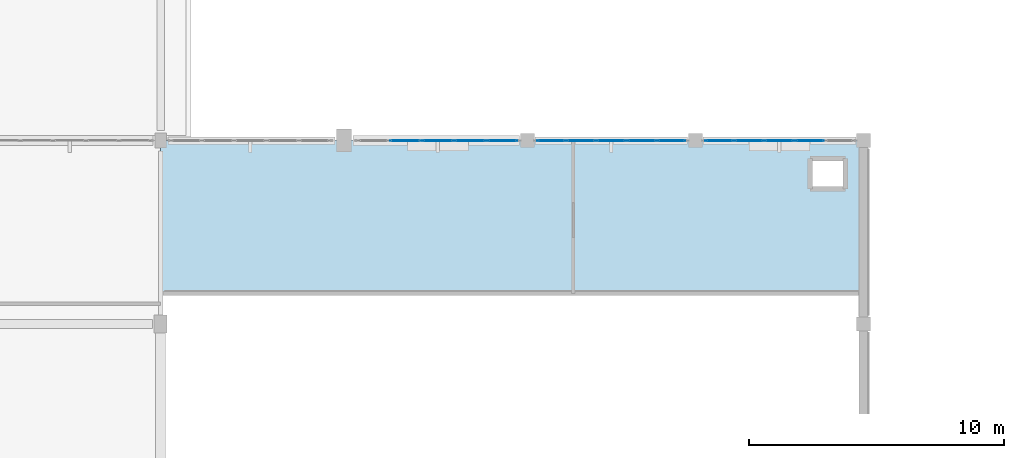
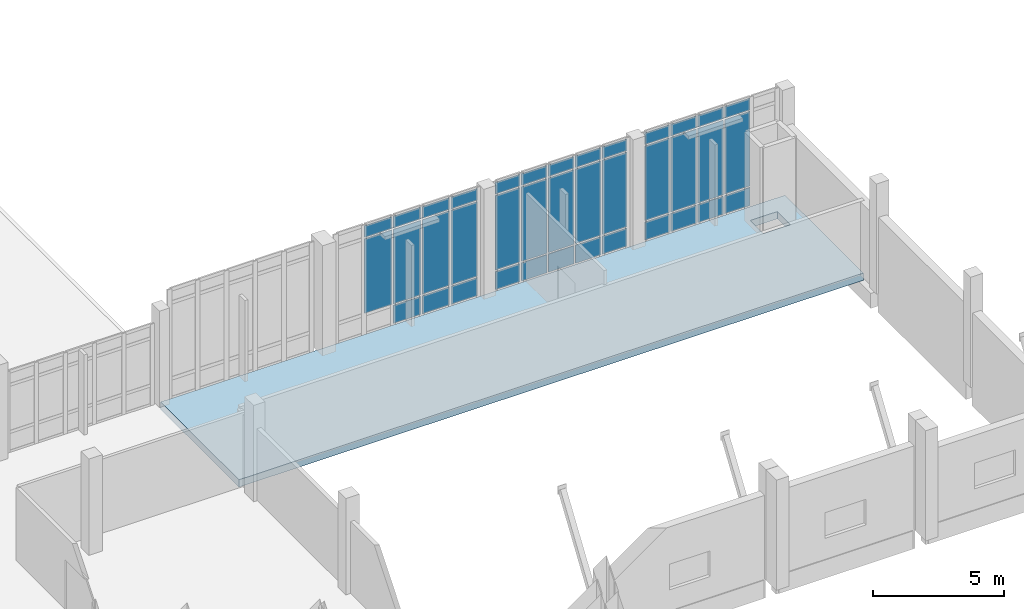
# One storey, part 100 of 134: 38 plates, 1 slab, 3 elements without a shape of their own.
"""IFC4 building model written with IfcOpenShell, lengths in metres."""

from ifc_helpers import new_model, si_unit, direction, frame, origin, origin_2d, place, context, subcontext, project, spatial, polyline, rectangle, outline, extrude, material, layer, layer_set, type_object, element, aggregate, save


model = new_model("IFC4")

# Units and contexts
model_context = context("Model", 3, precision=1e-05, world=origin(), true_north=direction((0.0, 1.0)))
body_context = subcontext(model_context, "Body", "Model", "MODEL_VIEW")
ifc_project = project(units=[si_unit("LENGTHUNIT", "METRE"), si_unit("AREAUNIT", "SQUARE_METRE"), si_unit("VOLUMEUNIT", "CUBIC_METRE"), si_unit("PLANEANGLEUNIT", "RADIAN"), si_unit("MASSUNIT", "GRAM", prefix="KILO")], contexts=[model_context])

# Site, building, storey
site_placement = place(None, origin())
site = spatial("IfcSite", under=ifc_project, at=site_placement, CompositionType="ELEMENT")
building_placement = place(site_placement, origin())
building = spatial("IfcBuilding", under=site, at=building_placement, Name="Kalluvel Institute of Natural Sciences", CompositionType="ELEMENT")
storey_placement = place(building_placement, frame((0.0, 0.0, 5.39990234375)))
storey = spatial("IfcBuildingStorey", under=building, at=storey_placement, Name="L01", CompositionType="ELEMENT", Elevation=5.39990234375)

# Curtain wall, plates
ifc_material_1 = material(Name="Aluminium AW-6063 T6", Category="aluminium")
curtain_wall_type = type_object("IfcCurtainWallType", Name="CW-SPAV-45", PredefinedType="USERDEFINED", material=ifc_material_1)
curtain_wall_1_placement = place(storey_placement, origin())
curtain_wall_1 = element("IfcCurtainWall", 1, at=curtain_wall_1_placement, inside=storey, type_object=curtain_wall_type, Name="L01 Gothic lancet curtain wall CWA-L01-X1225-Y356", ObjectType="UNITISED LANCET FACADE", PredefinedType="USERDEFINED")
ifc_material_2 = material(Name="Solar-Control Low-E Laminated Glass", Category="glass")
ifc_layer_1 = layer(ifc_material_2, 0.031982421875)
ifc_layer_set_1 = layer_set([ifc_layer_1], Name="Solar-Control Low-E Laminated Glass")
plate_type = type_object("IfcPlateType", Name="CWP-DGU-32", PredefinedType="CURTAIN_PANEL", material=ifc_layer_set_1)
plate_1_placement = place(storey_placement, frame((124.41259765625, 35.60009765625, 0.985107421875), z_axis=(0.0, 0.0, 1.0), x_axis=(1.0, 0.0, 0.0)))
plate_1 = element("IfcPlate", 2, at=plate_1_placement, type_object=plate_type, Name="CW-10 panel 2.2", PredefinedType="CURTAIN_PANEL", context=body_context, shape_type="SweptSolid", body=[
    extrude(rectangle(XDim=1.205078125, YDim=0.031982421875, at=origin_2d()), origin(), (0.0, 0.0, 1.0), 3.47998046875),
])
plate_2_placement = place(storey_placement, frame((124.41259765625, 35.60009765625, 4.53515625), z_axis=(0.0, 0.0, 1.0), x_axis=(1.0, 0.0, 0.0)))
plate_2 = element("IfcPlate", 3, at=plate_2_placement, type_object=plate_type, Name="CW-10 panel 2.3", PredefinedType="CURTAIN_PANEL", context=body_context, shape_type="SweptSolid", body=[
    extrude(rectangle(XDim=1.205078125, YDim=0.031982421875, at=origin_2d()), origin(), (0.0, 0.0, 1.0), 0.544921875),
])
plate_3_placement = place(storey_placement, frame((125.6875, 35.60009765625, 0.0703125), z_axis=(0.0, 0.0, 1.0), x_axis=(1.0, 0.0, 0.0)))
plate_3 = element("IfcPlate", 4, at=plate_3_placement, type_object=plate_type, Name="CW-10 panel 3.1", PredefinedType="CURTAIN_PANEL", context=body_context, shape_type="SweptSolid", body=[
    extrude(rectangle(XDim=1.205078125, YDim=0.031982421875, at=origin_2d()), origin(), (0.0, 0.0, 1.0), 0.844970703125),
])
plate_4_placement = place(storey_placement, frame((125.6875, 35.60009765625, 0.985107421875), z_axis=(0.0, 0.0, 1.0), x_axis=(1.0, 0.0, 0.0)))
plate_4 = element("IfcPlate", 5, at=plate_4_placement, type_object=plate_type, Name="CW-10 panel 3.2", PredefinedType="CURTAIN_PANEL", context=body_context, shape_type="SweptSolid", body=[
    extrude(rectangle(XDim=1.205078125, YDim=0.031982421875, at=origin_2d()), origin(), (0.0, 0.0, 1.0), 3.47998046875),
])
plate_5_placement = place(storey_placement, frame((125.6875, 35.60009765625, 4.53515625), z_axis=(0.0, 0.0, 1.0), x_axis=(1.0, 0.0, 0.0)))
plate_5 = element("IfcPlate", 6, at=plate_5_placement, type_object=plate_type, Name="CW-10 panel 3.3", PredefinedType="CURTAIN_PANEL", context=body_context, shape_type="SweptSolid", body=[
    extrude(rectangle(XDim=1.205078125, YDim=0.031982421875, at=origin_2d()), origin(), (0.0, 0.0, 1.0), 0.544921875),
])
plate_6_placement = place(storey_placement, frame((126.96240234375, 35.60009765625, 0.0703125), z_axis=(0.0, 0.0, 1.0), x_axis=(1.0, 0.0, 0.0)))
plate_6 = element("IfcPlate", 7, at=plate_6_placement, type_object=plate_type, Name="CW-10 panel 4.1", PredefinedType="CURTAIN_PANEL", context=body_context, shape_type="SweptSolid", body=[
    extrude(rectangle(XDim=1.205078125, YDim=0.031982421875, at=origin_2d()), origin(), (0.0, 0.0, 1.0), 0.844970703125),
])
plate_7_placement = place(storey_placement, frame((126.96240234375, 35.60009765625, 0.985107421875), z_axis=(0.0, 0.0, 1.0), x_axis=(1.0, 0.0, 0.0)))
plate_7 = element("IfcPlate", 8, at=plate_7_placement, type_object=plate_type, Name="CW-10 panel 4.2", PredefinedType="CURTAIN_PANEL", context=body_context, shape_type="SweptSolid", body=[
    extrude(rectangle(XDim=1.205078125, YDim=0.031982421875, at=origin_2d()), origin(), (0.0, 0.0, 1.0), 3.47998046875),
])
plate_8_placement = place(storey_placement, frame((126.96240234375, 35.60009765625, 4.53515625), z_axis=(0.0, 0.0, 1.0), x_axis=(1.0, 0.0, 0.0)))
plate_8 = element("IfcPlate", 9, at=plate_8_placement, type_object=plate_type, Name="CW-10 panel 4.3", PredefinedType="CURTAIN_PANEL", context=body_context, shape_type="SweptSolid", body=[
    extrude(rectangle(XDim=1.205078125, YDim=0.031982421875, at=origin_2d()), origin(), (0.0, 0.0, 1.0), 0.544921875),
])
plate_9_placement = place(storey_placement, frame((128.219970703125, 35.60009765625, 0.0703125), z_axis=(0.0, 0.0, 1.0), x_axis=(1.0, 0.0, 0.0)))
plate_9 = element("IfcPlate", 10, at=plate_9_placement, type_object=plate_type, Name="CW-10 panel 5.1", PredefinedType="CURTAIN_PANEL", context=body_context, shape_type="SweptSolid", body=[
    extrude(rectangle(XDim=1.169921875, YDim=0.031982421875, at=origin_2d()), origin(), (0.0, 0.0, 1.0), 0.844970703125),
])
plate_10_placement = place(storey_placement, frame((128.219970703125, 35.60009765625, 0.985107421875), z_axis=(0.0, 0.0, 1.0), x_axis=(1.0, 0.0, 0.0)))
plate_10 = element("IfcPlate", 11, at=plate_10_placement, type_object=plate_type, Name="CW-10 panel 5.2", PredefinedType="CURTAIN_PANEL", context=body_context, shape_type="SweptSolid", body=[
    extrude(rectangle(XDim=1.169921875, YDim=0.031982421875, at=origin_2d()), origin(), (0.0, 0.0, 1.0), 3.47998046875),
])
plate_11_placement = place(storey_placement, frame((128.219970703125, 35.60009765625, 4.53515625), z_axis=(0.0, 0.0, 1.0), x_axis=(1.0, 0.0, 0.0)))
plate_11 = element("IfcPlate", 12, at=plate_11_placement, type_object=plate_type, Name="CW-10 panel 5.3", PredefinedType="CURTAIN_PANEL", context=body_context, shape_type="SweptSolid", body=[
    extrude(rectangle(XDim=1.169921875, YDim=0.031982421875, at=origin_2d()), origin(), (0.0, 0.0, 1.0), 0.544921875),
])
aggregate(curtain_wall_1, [plate_1, plate_2, plate_3, plate_4, plate_5, plate_6, plate_7, plate_8, plate_9, plate_10, plate_11])

curtain_wall_2_placement = place(storey_placement, origin())
curtain_wall_2 = element("IfcCurtainWall", 13, at=curtain_wall_2_placement, inside=storey, type_object=curtain_wall_type, Name="L01 Gothic lancet curtain wall CWA-L01-X1295-Y356", ObjectType="UNITISED LANCET FACADE", PredefinedType="USERDEFINED")
plate_12_placement = place(storey_placement, frame((130.137451171875, 35.60009765625, 0.0703125), z_axis=(0.0, 0.0, 1.0), x_axis=(1.0, 0.0, 0.0)))
plate_12 = element("IfcPlate", 14, at=plate_12_placement, type_object=plate_type, Name="CW-10 panel 1.1", PredefinedType="CURTAIN_PANEL", context=body_context, shape_type="SweptSolid", body=[
    extrude(rectangle(XDim=1.0849609375, YDim=0.031982421875, at=origin_2d()), origin(), (0.0, 0.0, 1.0), 0.844970703125),
])
plate_13_placement = place(storey_placement, frame((130.137451171875, 35.60009765625, 0.985107421875), z_axis=(0.0, 0.0, 1.0), x_axis=(1.0, 0.0, 0.0)))
plate_13 = element("IfcPlate", 15, at=plate_13_placement, type_object=plate_type, Name="CW-10 panel 1.2", PredefinedType="CURTAIN_PANEL", context=body_context, shape_type="SweptSolid", body=[
    extrude(rectangle(XDim=1.0849609375, YDim=0.031982421875, at=origin_2d()), origin(), (0.0, 0.0, 1.0), 3.47998046875),
])
plate_14_placement = place(storey_placement, frame((130.137451171875, 35.60009765625, 4.53515625), z_axis=(0.0, 0.0, 1.0), x_axis=(1.0, 0.0, 0.0)))
plate_14 = element("IfcPlate", 16, at=plate_14_placement, type_object=plate_type, Name="CW-10 panel 1.3", PredefinedType="CURTAIN_PANEL", context=body_context, shape_type="SweptSolid", body=[
    extrude(rectangle(XDim=1.0849609375, YDim=0.031982421875, at=origin_2d()), origin(), (0.0, 0.0, 1.0), 0.544921875),
])
plate_15_placement = place(storey_placement, frame((131.31005859375, 35.60009765625, 0.0703125), z_axis=(0.0, 0.0, 1.0), x_axis=(1.0, 0.0, 0.0)))
plate_15 = element("IfcPlate", 17, at=plate_15_placement, type_object=plate_type, Name="CW-10 panel 2.1", PredefinedType="CURTAIN_PANEL", context=body_context, shape_type="SweptSolid", body=[
    extrude(rectangle(XDim=1.1201171875, YDim=0.031982421875, at=origin_2d()), origin(), (0.0, 0.0, 1.0), 0.844970703125),
])
plate_16_placement = place(storey_placement, frame((131.31005859375, 35.60009765625, 0.985107421875), z_axis=(0.0, 0.0, 1.0), x_axis=(1.0, 0.0, 0.0)))
plate_16 = element("IfcPlate", 18, at=plate_16_placement, type_object=plate_type, Name="CW-10 panel 2.2", PredefinedType="CURTAIN_PANEL", context=body_context, shape_type="SweptSolid", body=[
    extrude(rectangle(XDim=1.1201171875, YDim=0.031982421875, at=origin_2d()), origin(), (0.0, 0.0, 1.0), 3.47998046875),
])
plate_17_placement = place(storey_placement, frame((131.31005859375, 35.60009765625, 4.53515625), z_axis=(0.0, 0.0, 1.0), x_axis=(1.0, 0.0, 0.0)))
plate_17 = element("IfcPlate", 19, at=plate_17_placement, type_object=plate_type, Name="CW-10 panel 2.3", PredefinedType="CURTAIN_PANEL", context=body_context, shape_type="SweptSolid", body=[
    extrude(rectangle(XDim=1.1201171875, YDim=0.031982421875, at=origin_2d()), origin(), (0.0, 0.0, 1.0), 0.544921875),
])
plate_18_placement = place(storey_placement, frame((132.5, 35.60009765625, 0.0703125), z_axis=(0.0, 0.0, 1.0), x_axis=(1.0, 0.0, 0.0)))
plate_18 = element("IfcPlate", 20, at=plate_18_placement, type_object=plate_type, Name="CW-10 panel 3.1", PredefinedType="CURTAIN_PANEL", context=body_context, shape_type="SweptSolid", body=[
    extrude(rectangle(XDim=1.1201171875, YDim=0.031982421875, at=origin_2d()), origin(), (0.0, 0.0, 1.0), 0.844970703125),
])
plate_19_placement = place(storey_placement, frame((132.5, 35.60009765625, 0.985107421875), z_axis=(0.0, 0.0, 1.0), x_axis=(1.0, 0.0, 0.0)))
plate_19 = element("IfcPlate", 21, at=plate_19_placement, type_object=plate_type, Name="CW-10 panel 3.2", PredefinedType="CURTAIN_PANEL", context=body_context, shape_type="SweptSolid", body=[
    extrude(rectangle(XDim=1.1201171875, YDim=0.031982421875, at=origin_2d()), origin(), (0.0, 0.0, 1.0), 3.47998046875),
])
plate_20_placement = place(storey_placement, frame((132.5, 35.60009765625, 4.53515625), z_axis=(0.0, 0.0, 1.0), x_axis=(1.0, 0.0, 0.0)))
plate_20 = element("IfcPlate", 22, at=plate_20_placement, type_object=plate_type, Name="CW-10 panel 3.3", PredefinedType="CURTAIN_PANEL", context=body_context, shape_type="SweptSolid", body=[
    extrude(rectangle(XDim=1.1201171875, YDim=0.031982421875, at=origin_2d()), origin(), (0.0, 0.0, 1.0), 0.544921875),
])
plate_21_placement = place(storey_placement, frame((133.68994140625, 35.60009765625, 0.0703125), z_axis=(0.0, 0.0, 1.0), x_axis=(1.0, 0.0, 0.0)))
plate_21 = element("IfcPlate", 23, at=plate_21_placement, type_object=plate_type, Name="CW-10 panel 4.1", PredefinedType="CURTAIN_PANEL", context=body_context, shape_type="SweptSolid", body=[
    extrude(rectangle(XDim=1.1201171875, YDim=0.031982421875, at=origin_2d()), origin(), (0.0, 0.0, 1.0), 0.844970703125),
])
plate_22_placement = place(storey_placement, frame((133.68994140625, 35.60009765625, 0.985107421875), z_axis=(0.0, 0.0, 1.0), x_axis=(1.0, 0.0, 0.0)))
plate_22 = element("IfcPlate", 24, at=plate_22_placement, type_object=plate_type, Name="CW-10 panel 4.2", PredefinedType="CURTAIN_PANEL", context=body_context, shape_type="SweptSolid", body=[
    extrude(rectangle(XDim=1.1201171875, YDim=0.031982421875, at=origin_2d()), origin(), (0.0, 0.0, 1.0), 3.47998046875),
])
plate_23_placement = place(storey_placement, frame((133.68994140625, 35.60009765625, 4.53515625), z_axis=(0.0, 0.0, 1.0), x_axis=(1.0, 0.0, 0.0)))
plate_23 = element("IfcPlate", 25, at=plate_23_placement, type_object=plate_type, Name="CW-10 panel 4.3", PredefinedType="CURTAIN_PANEL", context=body_context, shape_type="SweptSolid", body=[
    extrude(rectangle(XDim=1.1201171875, YDim=0.031982421875, at=origin_2d()), origin(), (0.0, 0.0, 1.0), 0.544921875),
])
plate_24_placement = place(storey_placement, frame((134.862548828125, 35.60009765625, 0.0703125), z_axis=(0.0, 0.0, 1.0), x_axis=(1.0, 0.0, 0.0)))
plate_24 = element("IfcPlate", 26, at=plate_24_placement, type_object=plate_type, Name="CW-10 panel 5.1", PredefinedType="CURTAIN_PANEL", context=body_context, shape_type="SweptSolid", body=[
    extrude(rectangle(XDim=1.0849609375, YDim=0.031982421875, at=origin_2d()), origin(), (0.0, 0.0, 1.0), 0.844970703125),
])
plate_25_placement = place(storey_placement, frame((134.862548828125, 35.60009765625, 0.985107421875), z_axis=(0.0, 0.0, 1.0), x_axis=(1.0, 0.0, 0.0)))
plate_25 = element("IfcPlate", 27, at=plate_25_placement, type_object=plate_type, Name="CW-10 panel 5.2", PredefinedType="CURTAIN_PANEL", context=body_context, shape_type="SweptSolid", body=[
    extrude(rectangle(XDim=1.0849609375, YDim=0.031982421875, at=origin_2d()), origin(), (0.0, 0.0, 1.0), 3.47998046875),
])
plate_26_placement = place(storey_placement, frame((134.862548828125, 35.60009765625, 4.53515625), z_axis=(0.0, 0.0, 1.0), x_axis=(1.0, 0.0, 0.0)))
plate_26 = element("IfcPlate", 28, at=plate_26_placement, type_object=plate_type, Name="CW-10 panel 5.3", PredefinedType="CURTAIN_PANEL", context=body_context, shape_type="SweptSolid", body=[
    extrude(rectangle(XDim=1.0849609375, YDim=0.031982421875, at=origin_2d()), origin(), (0.0, 0.0, 1.0), 0.544921875),
])
aggregate(curtain_wall_2, [plate_12, plate_13, plate_14, plate_15, plate_16, plate_17, plate_18, plate_19, plate_20, plate_21, plate_22, plate_23, plate_24, plate_25, plate_26])

curtain_wall_3_placement = place(storey_placement, origin())
curtain_wall_3 = element("IfcCurtainWall", 29, at=curtain_wall_3_placement, inside=storey, type_object=curtain_wall_type, Name="L01 Gothic lancet curtain wall CWA-L01-X1361-Y356", ObjectType="UNITISED LANCET FACADE", PredefinedType="USERDEFINED")
plate_27_placement = place(storey_placement, frame((136.737548828125, 35.60009765625, 0.0703125), z_axis=(0.0, 0.0, 1.0), x_axis=(1.0, 0.0, 0.0)))
plate_27 = element("IfcPlate", 30, at=plate_27_placement, type_object=plate_type, Name="CW-10 panel 1.1", PredefinedType="CURTAIN_PANEL", context=body_context, shape_type="SweptSolid", body=[
    extrude(rectangle(XDim=1.0849609375, YDim=0.031982421875, at=origin_2d()), origin(), (0.0, 0.0, 1.0), 0.844970703125),
])
plate_28_placement = place(storey_placement, frame((136.737548828125, 35.60009765625, 0.985107421875), z_axis=(0.0, 0.0, 1.0), x_axis=(1.0, 0.0, 0.0)))
plate_28 = element("IfcPlate", 31, at=plate_28_placement, type_object=plate_type, Name="CW-10 panel 1.2", PredefinedType="CURTAIN_PANEL", context=body_context, shape_type="SweptSolid", body=[
    extrude(rectangle(XDim=1.0849609375, YDim=0.031982421875, at=origin_2d()), origin(), (0.0, 0.0, 1.0), 3.47998046875),
])
plate_29_placement = place(storey_placement, frame((136.737548828125, 35.60009765625, 4.53515625), z_axis=(0.0, 0.0, 1.0), x_axis=(1.0, 0.0, 0.0)))
plate_29 = element("IfcPlate", 32, at=plate_29_placement, type_object=plate_type, Name="CW-10 panel 1.3", PredefinedType="CURTAIN_PANEL", context=body_context, shape_type="SweptSolid", body=[
    extrude(rectangle(XDim=1.0849609375, YDim=0.031982421875, at=origin_2d()), origin(), (0.0, 0.0, 1.0), 0.544921875),
])
plate_30_placement = place(storey_placement, frame((137.909912109375, 35.60009765625, 0.0703125), z_axis=(0.0, 0.0, 1.0), x_axis=(1.0, 0.0, 0.0)))
plate_30 = element("IfcPlate", 33, at=plate_30_placement, type_object=plate_type, Name="CW-10 panel 2.1", PredefinedType="CURTAIN_PANEL", context=body_context, shape_type="SweptSolid", body=[
    extrude(rectangle(XDim=1.1201171875, YDim=0.031982421875, at=origin_2d()), origin(), (0.0, 0.0, 1.0), 0.844970703125),
])
plate_31_placement = place(storey_placement, frame((137.909912109375, 35.60009765625, 0.985107421875), z_axis=(0.0, 0.0, 1.0), x_axis=(1.0, 0.0, 0.0)))
plate_31 = element("IfcPlate", 34, at=plate_31_placement, type_object=plate_type, Name="CW-10 panel 2.2", PredefinedType="CURTAIN_PANEL", context=body_context, shape_type="SweptSolid", body=[
    extrude(rectangle(XDim=1.1201171875, YDim=0.031982421875, at=origin_2d()), origin(), (0.0, 0.0, 1.0), 3.47998046875),
])
plate_32_placement = place(storey_placement, frame((137.909912109375, 35.60009765625, 4.53515625), z_axis=(0.0, 0.0, 1.0), x_axis=(1.0, 0.0, 0.0)))
plate_32 = element("IfcPlate", 35, at=plate_32_placement, type_object=plate_type, Name="CW-10 panel 2.3", PredefinedType="CURTAIN_PANEL", context=body_context, shape_type="SweptSolid", body=[
    extrude(rectangle(XDim=1.1201171875, YDim=0.031982421875, at=origin_2d()), origin(), (0.0, 0.0, 1.0), 0.544921875),
])
plate_33_placement = place(storey_placement, frame((139.10009765625, 35.60009765625, 0.0703125), z_axis=(0.0, 0.0, 1.0), x_axis=(1.0, 0.0, 0.0)))
plate_33 = element("IfcPlate", 36, at=plate_33_placement, type_object=plate_type, Name="CW-10 panel 3.1", PredefinedType="CURTAIN_PANEL", context=body_context, shape_type="SweptSolid", body=[
    extrude(rectangle(XDim=1.1201171875, YDim=0.031982421875, at=origin_2d()), origin(), (0.0, 0.0, 1.0), 0.844970703125),
])
plate_34_placement = place(storey_placement, frame((139.10009765625, 35.60009765625, 0.985107421875), z_axis=(0.0, 0.0, 1.0), x_axis=(1.0, 0.0, 0.0)))
plate_34 = element("IfcPlate", 37, at=plate_34_placement, type_object=plate_type, Name="CW-10 panel 3.2", PredefinedType="CURTAIN_PANEL", context=body_context, shape_type="SweptSolid", body=[
    extrude(rectangle(XDim=1.1201171875, YDim=0.031982421875, at=origin_2d()), origin(), (0.0, 0.0, 1.0), 3.47998046875),
])
plate_35_placement = place(storey_placement, frame((139.10009765625, 35.60009765625, 4.53515625), z_axis=(0.0, 0.0, 1.0), x_axis=(1.0, 0.0, 0.0)))
plate_35 = element("IfcPlate", 38, at=plate_35_placement, type_object=plate_type, Name="CW-10 panel 3.3", PredefinedType="CURTAIN_PANEL", context=body_context, shape_type="SweptSolid", body=[
    extrude(rectangle(XDim=1.1201171875, YDim=0.031982421875, at=origin_2d()), origin(), (0.0, 0.0, 1.0), 0.544921875),
])
plate_36_placement = place(storey_placement, frame((140.2900390625, 35.60009765625, 0.0703125), z_axis=(0.0, 0.0, 1.0), x_axis=(1.0, 0.0, 0.0)))
plate_36 = element("IfcPlate", 39, at=plate_36_placement, type_object=plate_type, Name="CW-10 panel 4.1", PredefinedType="CURTAIN_PANEL", context=body_context, shape_type="SweptSolid", body=[
    extrude(rectangle(XDim=1.1201171875, YDim=0.031982421875, at=origin_2d()), origin(), (0.0, 0.0, 1.0), 0.844970703125),
])
plate_37_placement = place(storey_placement, frame((140.2900390625, 35.60009765625, 0.985107421875), z_axis=(0.0, 0.0, 1.0), x_axis=(1.0, 0.0, 0.0)))
plate_37 = element("IfcPlate", 40, at=plate_37_placement, type_object=plate_type, Name="CW-10 panel 4.2", PredefinedType="CURTAIN_PANEL", context=body_context, shape_type="SweptSolid", body=[
    extrude(rectangle(XDim=1.1201171875, YDim=0.031982421875, at=origin_2d()), origin(), (0.0, 0.0, 1.0), 3.47998046875),
])
plate_38_placement = place(storey_placement, frame((140.2900390625, 35.60009765625, 4.53515625), z_axis=(0.0, 0.0, 1.0), x_axis=(1.0, 0.0, 0.0)))
plate_38 = element("IfcPlate", 41, at=plate_38_placement, type_object=plate_type, Name="CW-10 panel 4.3", PredefinedType="CURTAIN_PANEL", context=body_context, shape_type="SweptSolid", body=[
    extrude(rectangle(XDim=1.1201171875, YDim=0.031982421875, at=origin_2d()), origin(), (0.0, 0.0, 1.0), 0.544921875),
])
aggregate(curtain_wall_3, [plate_27, plate_28, plate_29, plate_30, plate_31, plate_32, plate_33, plate_34, plate_35, plate_36, plate_37, plate_38])

# Slab
ifc_material_3 = material(Name="Concrete M40", Category="concrete")
ifc_layer_2 = layer(ifc_material_3, 0.340087890625)
ifc_layer_set_2 = layer_set([ifc_layer_2], Name="Concrete M40")
slab_type = type_object("IfcSlabType", Name="SLB-LEC-340", PredefinedType="FLOOR", material=ifc_layer_set_2)
slab_placement = place(storey_placement, frame((0.0, 0.0, -0.33984375)))
element("IfcSlab", 42, at=slab_placement, inside=storey, type_object=slab_type, Name="L01 Lecture Theatre Control and Acoustic Gallery Slab", PredefinedType="FLOOR", context=body_context, shape_type="SweptSolid", body=[
    extrude(outline(polyline([(114.800048828125, 29.60009765625), (142.39990234375, 29.60009765625), (142.39990234375, 35.60009765625), (114.800048828125, 35.60009765625), (114.800048828125, 29.60009765625)]), holes=[polyline([(140.39990234375, 33.800048828125), (140.39990234375, 34.800048828125), (141.60009765625, 34.800048828125), (141.60009765625, 33.800048828125), (140.39990234375, 33.800048828125)])]), origin(), (0.0, 0.0, 1.0), 0.33984375),
])

save(model, "model.ifc")
